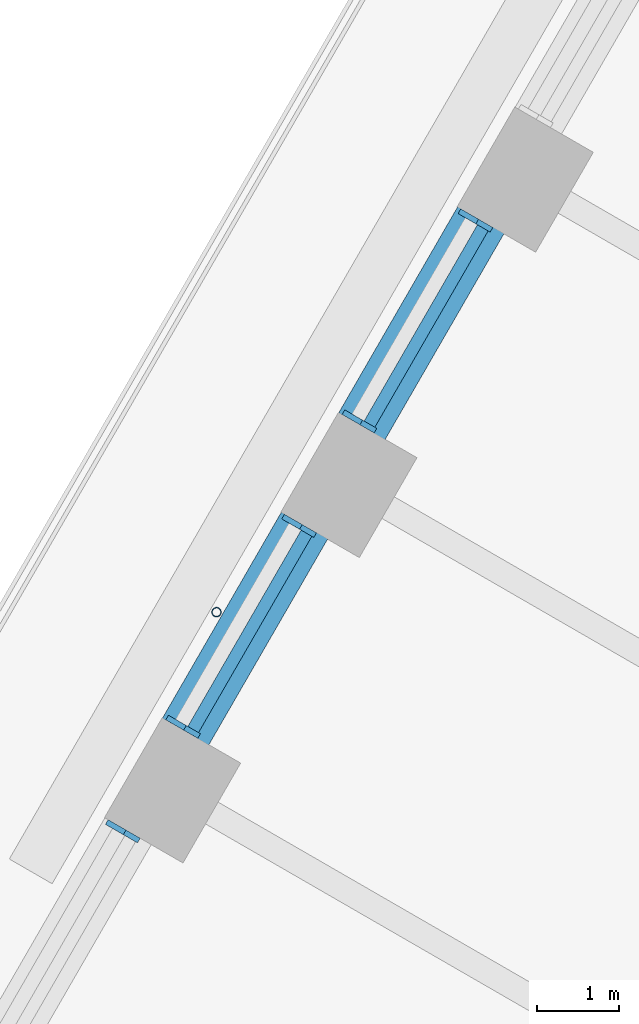
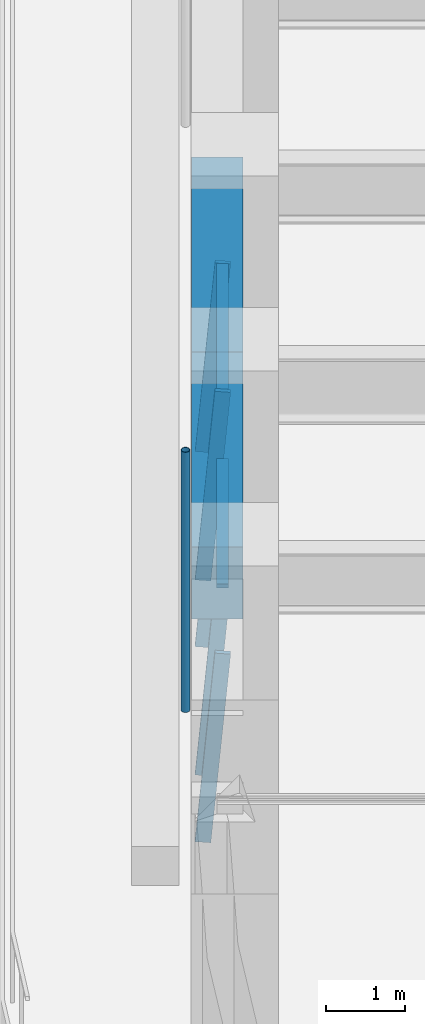
# One storey, part 6 of 19: 8 members, 2 beams, 3 elements without a shape of their own.
"""IFC4 building model written with IfcOpenShell, lengths in metres."""

import ifcopenshell
import ifcopenshell.guid

model = None  # the IFC model being written
_history = None  # IfcOwnerHistory: only IFC2X3 demands one
_inside = {}  # id of a spatial element -> (the spatial element, [elements in it])
_under = {}  # id of a project, library or spatial element -> (it, [spatial elements below it])
_declared = {}  # id of a project -> (the project, [libraries it declares])
_typed = {}  # id of a type object -> (the type object, [elements of that type])
_made_of = {}  # id of a material, layer set ... -> (it, [elements and type objects made of it])


def new_model(schema):
    """Start an empty IFC model of exactly this schema.

    Asked for "IFC4X3", IfcOpenShell would pick the latest addendum, in which some entities
    have other attributes; the version numbers below select the first issue.
    IFC2X3 requires an IfcOwnerHistory on every rooted entity: one is made here for all.
    """
    global model, _history
    if schema == "IFC4X3":
        model = ifcopenshell.file(schema_version=(4, 3, 0, 0))
    else:
        model = ifcopenshell.file(schema=schema)
    _inside.clear()
    _under.clear()
    _declared.clear()
    _typed.clear()
    _made_of.clear()
    _history = None
    if model.schema == "IFC2X3":
        org = make("IfcOrganization", Name="unknown")
        user = make(
            "IfcPersonAndOrganization",
            ThePerson=make("IfcPerson", FamilyName="unknown"),
            TheOrganization=org,
        )
        app = make(
            "IfcApplication",
            ApplicationDeveloper=org,
            Version="unknown",
            ApplicationFullName="unknown",
            ApplicationIdentifier="unknown",
        )
        _history = make(
            "IfcOwnerHistory",
            OwningUser=user,
            OwningApplication=app,
            ChangeAction="ADDED",
            CreationDate=0,
        )
    return model


def make(cls, **values):
    """One entity of the class cls with the attributes given. An attribute that is None is left unset."""
    return model.create_entity(
        cls, **{name: value for name, value in values.items() if value is not None}
    )


def rooted(cls, **values):
    """An entity with a GlobalId (a new one), such as an element, a storey or a relation."""
    return make(cls, GlobalId=ifcopenshell.guid.new(), OwnerHistory=_history, **values)


def si_unit(unit_type, name, prefix=None):
    """IfcSIUnit, for example si_unit("LENGTHUNIT", "METRE", prefix="MILLI")."""
    return make("IfcSIUnit", UnitType=unit_type, Prefix=prefix, Name=name)


def assignment(units):
    """IfcUnitAssignment: the units of a project."""
    return None if units is None else make("IfcUnitAssignment", Units=units)


def point(xyz):
    """IfcCartesianPoint."""
    return None if xyz is None else make("IfcCartesianPoint", Coordinates=xyz)


def direction(xyz):
    """IfcDirection."""
    return None if xyz is None else make("IfcDirection", DirectionRatios=xyz)


def frame(location, z_axis=None, x_axis=None):
    """IfcAxis2Placement3D, a coordinate frame: its origin and axes. An axis left out is left unset."""
    return make(
        "IfcAxis2Placement3D",
        Location=point(location),
        Axis=direction(z_axis),
        RefDirection=direction(x_axis),
    )


def frame_2d(location, x_axis=None):
    """IfcAxis2Placement2D, a coordinate frame in the plane: its origin and x axis."""
    return make(
        "IfcAxis2Placement2D", Location=point(location), RefDirection=direction(x_axis)
    )


def origin():
    """The frame at (0, 0, 0) with its axes left unset."""
    return frame((0.0, 0.0, 0.0))


def origin_2d():
    """The frame at (0, 0) in the plane with its x axis left unset."""
    return frame_2d((0.0, 0.0))


def place(relative_to, where):
    """IfcLocalPlacement: puts the frame where relative to a parent placement (None: the world)."""
    return make(
        "IfcLocalPlacement", PlacementRelTo=relative_to, RelativePlacement=where
    )


def context(
    kind, dimensions, precision=None, world=None, true_north=None, identifier=None
):
    """IfcGeometricRepresentationContext, for example the 3D "Model" context."""
    return make(
        "IfcGeometricRepresentationContext",
        ContextIdentifier=identifier,
        ContextType=kind,
        CoordinateSpaceDimension=dimensions,
        Precision=precision,
        WorldCoordinateSystem=world,
        TrueNorth=true_north,
    )


def subcontext(parent, identifier, kind, view, scale=None):
    """IfcGeometricRepresentationSubContext, for example "Body" below "Model"."""
    return make(
        "IfcGeometricRepresentationSubContext",
        ContextIdentifier=identifier,
        ContextType=kind,
        ParentContext=parent,
        TargetScale=scale,
        TargetView=view,
    )


def project(units=None, contexts=None):
    """IfcProject with its units and contexts."""
    return rooted(
        "IfcProject",
        Name="project",
        RepresentationContexts=contexts,
        UnitsInContext=assignment(units),
    )


def spatial(cls, under=None, at=None, **own):
    """A site, building, storey or space (cls), placed at a placement, below another one or the project."""
    s = rooted(cls, ObjectPlacement=at, **own)
    if under is not None:
        _under.setdefault(under.id(), (under, []))[1].append(s)
    return s


def profile(cls, at=None, kind="AREA", **sizes):
    """A parametric profile (cls). Its sizes go by their IFC names, for example OverallWidth=200.0."""
    return make(cls, ProfileType=kind, Position=at, **sizes)


def rectangle(**sizes):
    """IfcRectangleProfileDef."""
    return profile("IfcRectangleProfileDef", **sizes)


def hollow_circle(**sizes):
    """IfcCircleHollowProfileDef."""
    return profile("IfcCircleHollowProfileDef", **sizes)


def extrude(swept, where, along, depth):
    """IfcExtrudedAreaSolid: the profile swept, set in the frame where, extruded along a direction by depth."""
    return make(
        "IfcExtrudedAreaSolid",
        SweptArea=swept,
        Position=where,
        ExtrudedDirection=direction(along),
        Depth=depth,
    )


def shape(context_of_items, identifier, shape_type, items):
    """IfcShapeRepresentation: the items that make up one representation, for example the "Body"."""
    return make(
        "IfcShapeRepresentation",
        ContextOfItems=context_of_items,
        RepresentationIdentifier=identifier,
        RepresentationType=shape_type,
        Items=items,
    )


def material(Name=None, Category=None):
    """IfcMaterial."""
    return make("IfcMaterial", Name=Name, Category=Category)


def material_profile(
    of_material, cross_section, Name=None, Category=None, Priority=None
):
    """IfcMaterialProfile: a cross section and its material."""
    return make(
        "IfcMaterialProfile",
        Name=Name,
        Material=of_material,
        Profile=cross_section,
        Priority=Priority,
        Category=Category,
    )


def profile_set(profiles, Name=None, composite=None):
    """IfcMaterialProfileSet."""
    return make(
        "IfcMaterialProfileSet",
        Name=Name,
        MaterialProfiles=profiles,
        CompositeProfile=composite,
    )


def made_of(thing, what):
    """Note that an element or type object is made of a material, layer set ...; save() writes the relation."""
    if what is not None:
        _made_of.setdefault(what.id(), (what, []))[1].append(thing)
    return thing


def type_object(cls, material=None, **own):
    """A type object (cls), such as IfcWallType, which elements share."""
    return made_of(rooted(cls, **own), material)


def element(
    cls,
    number,
    at=None,
    inside=None,
    cuts=None,
    type_object=None,
    material=None,
    context=None,
    identifier="Body",
    shape_type=None,
    held_by="IfcProductDefinitionShape",
    body=None,
    shapes=None,
    **own,
):
    """One element of the class cls, such as IfcWall. Its Tag is "e" and its number.

    at: its placement. inside: the storey or other place that contains it. cuts: it is an
    opening in that element (IfcRelVoidsElement). A single representation is given by context,
    identifier, shape_type and body (its items); several are given by shapes. held_by: the class
    of the entity that holds the representations. save() writes the other relations.
    """
    e = rooted(cls, Tag="e%d" % number, ObjectPlacement=at, **own)
    if body is not None:
        shapes = [shape(context, identifier, shape_type, body)]
    if shapes is not None:
        e.Representation = make(held_by, Representations=shapes)
    if inside is not None:
        _inside.setdefault(inside.id(), (inside, []))[1].append(e)
    if cuts is not None:
        rooted(
            "IfcRelVoidsElement", RelatingBuildingElement=cuts, RelatedOpeningElement=e
        )
    if type_object is not None:
        _typed.setdefault(type_object.id(), (type_object, []))[1].append(e)
    return made_of(e, material)


def aggregate(whole, parts):
    """IfcRelAggregates: a whole, such as a stair, and the parts it consists of."""
    return rooted("IfcRelAggregates", RelatingObject=whole, RelatedObjects=parts)


def save(model, path):
    """Write the relations noted so far, then the file.

    IfcRelAggregates (storeys below a building ...), IfcRelContainedInSpatialStructure (elements
    in a storey), IfcRelDefinesByType, IfcRelAssociatesMaterial and IfcRelDeclares: one each for
    every whole, place, type object, material and project.
    """
    for whole, parts in _under.values():
        aggregate(whole, parts)
    for where, things in _inside.values():
        rooted(
            "IfcRelContainedInSpatialStructure",
            RelatedElements=things,
            RelatingStructure=where,
        )
    for kind, things in _typed.values():
        rooted("IfcRelDefinesByType", RelatedObjects=things, RelatingType=kind)
    for what, things in _made_of.values():
        rooted("IfcRelAssociatesMaterial", RelatedObjects=things, RelatingMaterial=what)
    for by, libraries in _declared.values():
        rooted("IfcRelDeclares", RelatingContext=by, RelatedDefinitions=libraries)
    model.write(path)


model = new_model("IFC4")

# Units and contexts
model_context = context("Model", 3, precision=1e-05, world=origin(), true_north=direction((0.0, 1.0)))
body_context = subcontext(model_context, "Body", "Model", "MODEL_VIEW")
ifc_project = project(units=[si_unit("LENGTHUNIT", "METRE"), si_unit("AREAUNIT", "SQUARE_METRE"), si_unit("VOLUMEUNIT", "CUBIC_METRE"), si_unit("PLANEANGLEUNIT", "RADIAN"), si_unit("MASSUNIT", "GRAM", prefix="KILO")], contexts=[model_context])

# Site, building, storey
site_placement = place(None, origin())
site = spatial("IfcSite", under=ifc_project, at=site_placement, CompositionType="ELEMENT")
building_placement = place(site_placement, origin())
building = spatial("IfcBuilding", under=site, at=building_placement, Name="Tarfa Lantern Tower", CompositionType="ELEMENT")
storey_placement = place(building_placement, frame((0.0, 0.0, 328.300048828125)))
storey = spatial("IfcBuildingStorey", under=building, at=storey_placement, Name="L74", CompositionType="ELEMENT", Elevation=328.300048828125)

# Curtain wall, members
ifc_material_1 = material(Name="Aluminium framed curtain wall", Category="aluminium")
curtain_wall_type = type_object("IfcCurtainWallType", Name="CW4 CANTED GLAZING EXECUTIVE ZONE 2900", PredefinedType="USERDEFINED", material=ifc_material_1)
curtain_wall_1_placement = place(storey_placement, origin())
curtain_wall_1 = element("IfcCurtainWall", 1, at=curtain_wall_1_placement, inside=storey, type_object=curtain_wall_type, Name="CW4 NW L74", ObjectType="CURTAIN WALL", PredefinedType="USERDEFINED")
ifc_material_2 = material(Name="Aluminium mullion", Category="aluminium")
ifc_material_profile_1 = material_profile(ifc_material_2, rectangle(XDim=0.06494140625, YDim=0.199951171875, at=origin_2d()), Name="AL MULLION 65x200")
ifc_profile_set_1 = profile_set([ifc_material_profile_1], Name="Aluminium mullion")
member_type_1 = type_object("IfcMemberType", Name="CWM1 MULLION 65x200", PredefinedType="MULLION", material=ifc_profile_set_1)
member_1_placement = place(storey_placement, frame((-23.44580078125, 12.690673828125, 0.0), z_axis=(0.074399820079, -0.042945555672, 0.996303340364), x_axis=(0.499919672301, 0.866071776036, 0.0)))
member_1 = element("IfcMember", 2, at=member_1_placement, type_object=member_type_1, Name="CW4 mullion 1", PredefinedType="MULLION", context=body_context, shape_type="SweptSolid", body=[
    extrude(rectangle(XDim=0.06494140625, YDim=0.199951171875, at=origin_2d()), origin(), (0.0, 0.0, 1.0), 2.91064453125),
])
member_2_placement = place(storey_placement, frame((-24.854248046875, 10.2509765625, 0.0), z_axis=(0.074316405553, -0.042945823525, 0.996309554359), x_axis=(0.500342721131, 0.865827443207, 0.0)))
member_2 = element("IfcMember", 3, at=member_2_placement, type_object=member_type_1, Name="CW4 mullion 2", PredefinedType="MULLION", context=body_context, shape_type="SweptSolid", body=[
    extrude(rectangle(XDim=0.06494140625, YDim=0.199951171875, at=origin_2d()), origin(), (0.0, 0.0, 1.0), 2.91064453125),
])

curtain_wall_2_placement = place(storey_placement, origin())
curtain_wall_2 = element("IfcCurtainWall", 4, at=curtain_wall_2_placement, inside=storey, type_object=curtain_wall_type, Name="CW4 NW L74", ObjectType="CURTAIN WALL", PredefinedType="USERDEFINED")
member_3_placement = place(storey_placement, frame((-25.5869140625, 8.982421875, 0.0), z_axis=(0.074399820079, -0.042945555672, 0.996303340364), x_axis=(0.499919672301, 0.866071776036, 0.0)))
member_3 = element("IfcMember", 5, at=member_3_placement, type_object=member_type_1, Name="CW4 mullion 1", PredefinedType="MULLION", context=body_context, shape_type="SweptSolid", body=[
    extrude(rectangle(XDim=0.06494140625, YDim=0.199951171875, at=origin_2d()), origin(), (0.0, 0.0, 1.0), 2.91064453125),
])
member_4_placement = place(storey_placement, frame((-26.995361328125, 6.542724609375, 0.0), z_axis=(0.074399820079, -0.042945555672, 0.996303340364), x_axis=(0.499919672301, 0.866071776036, 0.0)))
member_4 = element("IfcMember", 6, at=member_4_placement, type_object=member_type_1, Name="CW4 mullion 2", PredefinedType="MULLION", context=body_context, shape_type="SweptSolid", body=[
    extrude(rectangle(XDim=0.06494140625, YDim=0.199951171875, at=origin_2d()), origin(), (0.0, 0.0, 1.0), 2.91064453125),
])

# Curtain wall, member
curtain_wall_3_placement = place(storey_placement, origin())
curtain_wall_3 = element("IfcCurtainWall", 7, at=curtain_wall_3_placement, inside=storey, type_object=curtain_wall_type, Name="CW4 NW L74", ObjectType="CURTAIN WALL", PredefinedType="USERDEFINED")
member_5_placement = place(storey_placement, frame((-27.727783203125, 5.27392578125, 0.0), z_axis=(0.074399820079, -0.042945555672, 0.996303340364), x_axis=(0.499919672301, 0.866071776036, 0.0)))
member_5 = element("IfcMember", 8, at=member_5_placement, type_object=member_type_1, Name="CW4 mullion 1", PredefinedType="MULLION", context=body_context, shape_type="SweptSolid", body=[
    extrude(rectangle(XDim=0.06494140625, YDim=0.199951171875, at=origin_2d()), origin(), (0.0, 0.0, 1.0), 2.91064453125),
])
aggregate(curtain_wall_3, [member_5])

# Member
ifc_material_3 = material(Name="Aluminium transom", Category="aluminium")
ifc_material_profile_2 = material_profile(ifc_material_3, rectangle(XDim=0.14990234375, YDim=0.06494140625, at=origin_2d()), Name="AL TRANSOM 150x65")
ifc_profile_set_2 = profile_set([ifc_material_profile_2], Name="Aluminium transom")
member_type_2 = type_object("IfcMemberType", Name="CWT1 TRANSOM 150x65", PredefinedType="USERDEFINED", material=ifc_profile_set_2)
member_6_placement = place(storey_placement, frame((-23.248046875, 12.538818359375, 2.867431640625), z_axis=(-0.499993790352, -0.866028988896, 0.0), x_axis=(0.866028988896, -0.499993790352, 0.0)))
member_6 = element("IfcMember", 9, at=member_6_placement, type_object=member_type_2, Name="CW4 transom 1.2", ObjectType="TRANSOM", PredefinedType="USERDEFINED", context=body_context, shape_type="SweptSolid", body=[
    extrude(rectangle(XDim=0.14990234375, YDim=0.06494140625, at=origin_2d()), origin(), (0.0, 0.0, 1.0), 2.751953125),
])

aggregate(curtain_wall_1, [member_1, member_2, member_6])

member_7_placement = place(storey_placement, frame((-25.388916015625, 8.83056640625, 2.867431640625), z_axis=(-0.499993790352, -0.866028988896, 0.0), x_axis=(0.866028988896, -0.499993790352, 0.0)))
member_7 = element("IfcMember", 10, at=member_7_placement, type_object=member_type_2, Name="CW4 transom 1.2", ObjectType="TRANSOM", PredefinedType="USERDEFINED", context=body_context, shape_type="SweptSolid", body=[
    extrude(rectangle(XDim=0.14990234375, YDim=0.06494140625, at=origin_2d()), origin(), (0.0, 0.0, 1.0), 2.751953125),
])

aggregate(curtain_wall_2, [member_3, member_4, member_7])

# Beams
ifc_material_4 = material(Name="Concrete C80/95", Category="concrete")
ifc_material_profile_3 = material_profile(ifc_material_4, rectangle(XDim=0.64990234375, YDim=1.10009765625, at=origin_2d()), Name="RC 650x1100")
ifc_profile_set_3 = profile_set([ifc_material_profile_3], Name="Concrete C80/95")
beam_type = type_object("IfcBeamType", Name="EB4 RC 650x1100", PredefinedType="SPANDREL", material=ifc_profile_set_3)
beam_1_placement = place(storey_placement, frame((-22.923583984375, 13.235107421875, 3.449951171875), z_axis=(-0.500002112793, -0.866024183959, 0.0), x_axis=(0.866024183959, -0.500002112793, 0.0)))
element("IfcBeam", 11, at=beam_1_placement, inside=storey, type_object=beam_type, Name="Edge beam NW3", PredefinedType="SPANDREL", context=body_context, shape_type="SweptSolid", body=[
    extrude(rectangle(XDim=0.64990234375, YDim=1.10009765625, at=origin_2d()), origin(), (0.0, 0.0, 1.0), 4.2822265625),
])
beam_2_placement = place(storey_placement, frame((-25.064697265625, 9.526611328125, 3.449951171875), z_axis=(-0.500026801138, -0.866009929587, 0.0), x_axis=(0.866009929587, -0.500026801138, 0.0)))
element("IfcBeam", 12, at=beam_2_placement, inside=storey, type_object=beam_type, Name="Edge beam NW4", PredefinedType="SPANDREL", context=body_context, shape_type="SweptSolid", body=[
    extrude(rectangle(XDim=0.64990234375, YDim=1.10009765625, at=origin_2d()), origin(), (0.0, 0.0, 1.0), 4.281982421875),
])

# Member
ifc_material_5 = material(Name="Steel S355", Category="steel")
ifc_material_profile_4 = material_profile(ifc_material_5, hollow_circle(Radius=0.05712890625, WallThickness=0.00634765625, at=origin_2d()), Name="CHS114.3x6.3")
ifc_profile_set_4 = profile_set([ifc_material_profile_4], Name="Steel S355")
member_type_3 = type_object("IfcMemberType", Name="TR1 GREEN WALL TRELLIS CHS114.3x6.3", PredefinedType="USERDEFINED", material=ifc_profile_set_4)
member_8_placement = place(storey_placement, frame((-26.481689453125, 7.87255859375, 0.0), z_axis=(0.0, 0.0, 1.0), x_axis=(1.0, 0.0, 0.0)))
element("IfcMember", 13, at=member_8_placement, inside=storey, type_object=member_type_3, Name="Trellis post NW 2", ObjectType="TRELLIS", PredefinedType="USERDEFINED", context=body_context, shape_type="SweptSolid", body=[
    extrude(hollow_circle(Radius=0.05712890625, WallThickness=0.00634765625, at=origin_2d()), origin(), (0.0, 0.0, 1.0), 4.0),
])

save(model, "model.ifc")
